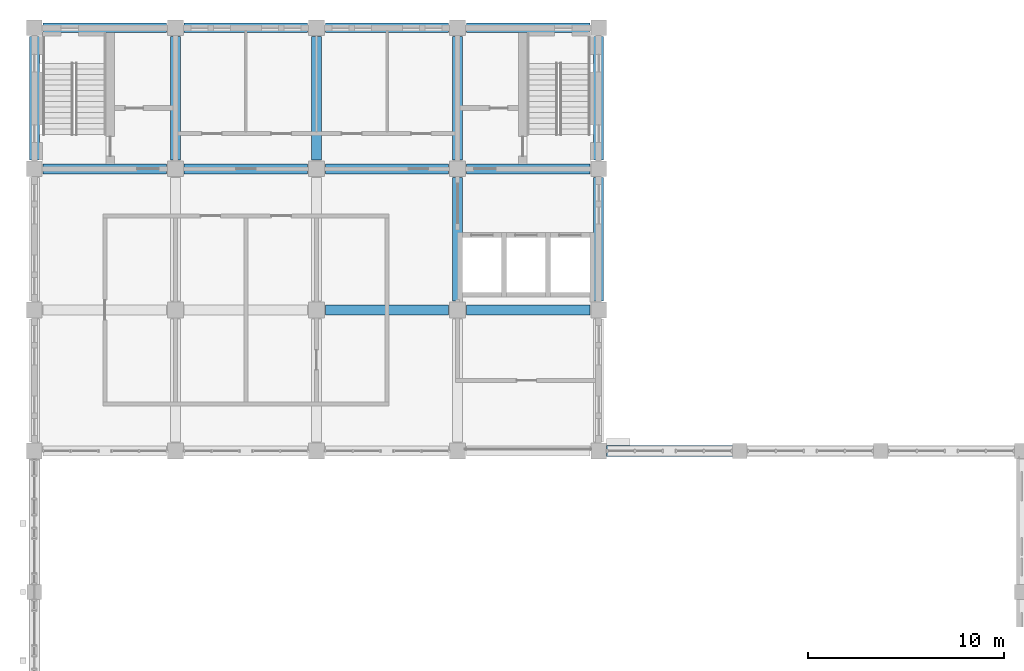
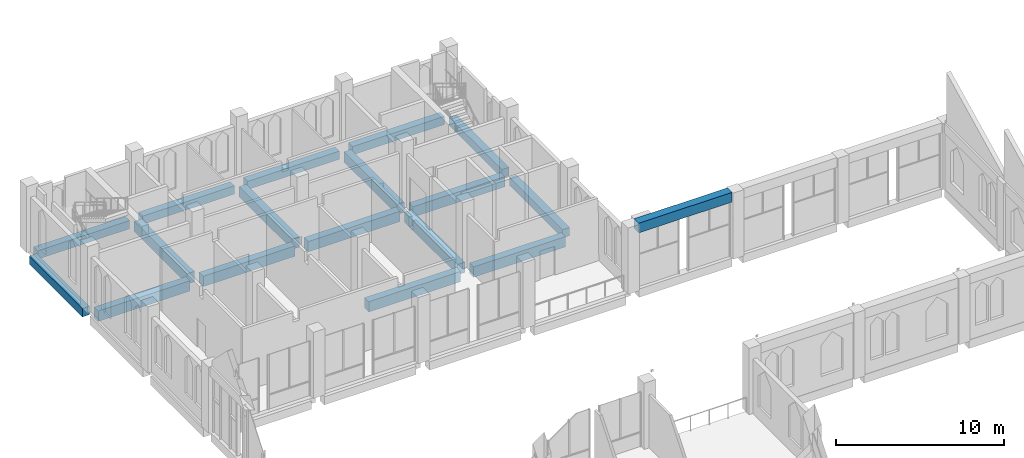
# One storey, part 12 of 31: 18 beams.
"""IFC4 building model written with IfcOpenShell, lengths in metres."""

from ifc_helpers import new_model, si_unit, direction, frame, origin, origin_2d, place, context, subcontext, project, spatial, rectangle, extrude, material, material_profile, profile_set, type_object, element, save


model = new_model("IFC4")

# Units and contexts
model_context = context("Model", 3, precision=1e-05, world=origin(), true_north=direction((0.0, 1.0)))
body_context = subcontext(model_context, "Body", "Model", "MODEL_VIEW")
ifc_project = project(units=[si_unit("LENGTHUNIT", "METRE"), si_unit("AREAUNIT", "SQUARE_METRE"), si_unit("VOLUMEUNIT", "CUBIC_METRE"), si_unit("PLANEANGLEUNIT", "RADIAN"), si_unit("MASSUNIT", "GRAM", prefix="KILO")], contexts=[model_context])

# Site, building, storey
site_placement = place(None, origin())
site = spatial("IfcSite", under=ifc_project, at=site_placement, CompositionType="ELEMENT")
building_placement = place(site_placement, origin())
building = spatial("IfcBuilding", under=site, at=building_placement, Name="Silangan Lancet Faculty of Sciences", CompositionType="ELEMENT")
storey_placement = place(building_placement, frame((0.0, 0.0, 36.0)))
storey = spatial("IfcBuildingStorey", under=building, at=storey_placement, Name="L07", CompositionType="ELEMENT", Elevation=36.0)

# Beams
ifc_material_1 = material(Name="Concrete C40/50", Category="concrete")
ifc_material_profile_1 = material_profile(ifc_material_1, rectangle(XDim=0.5, YDim=0.60009765625, at=origin_2d()), Name="RC 500x600")
ifc_profile_set_1 = profile_set([ifc_material_profile_1], Name="Concrete C40/50")
beam_type_1 = type_object("IfcBeamType", Name="BEAM RC 500x600", PredefinedType="BEAM", material=ifc_profile_set_1)
for number, where, z_axis, x_axis, name in (
    (1, (0.449951171875, 57.60009765625, -0.550048828125), (1.0, 0.0, 0.0), (0.0, 1.0, 0.0), "BM-L07-1I-2I"),
    (2, (7.64990234375, 57.60009765625, -0.550048828125), (1.0, 0.0, 0.0), (0.0, 1.0, 0.0), "BM-L07-2I-3I"),
):
    element("IfcBeam", number, at=place(storey_placement, frame(where, z_axis=z_axis, x_axis=x_axis)), inside=storey, type_object=beam_type_1, Name=name, PredefinedType="BEAM", context=body_context, shape_type="SweptSolid", body=[
        extrude(rectangle(XDim=0.5, YDim=0.60009765625, at=origin_2d()), origin(), (0.0, 0.0, 1.0), 6.300048828125),
    ])
beam_1_placement = place(storey_placement, frame((14.85009765625, 57.60009765625, -0.550048828125), z_axis=(1.0, 0.0, 0.0), x_axis=(0.0, 1.0, 0.0)))
element("IfcBeam", 3, at=beam_1_placement, inside=storey, type_object=beam_type_1, Name="BM-L07-3I-4I", PredefinedType="BEAM", context=body_context, shape_type="SweptSolid", body=[
    extrude(rectangle(XDim=0.5, YDim=0.60009765625, at=origin_2d()), origin(), (0.0, 0.0, 1.0), 6.2998046875),
])
beam_2_placement = place(storey_placement, frame((22.050048828125, 57.60009765625, -0.550048828125), z_axis=(1.0, 0.0, 0.0), x_axis=(0.0, 1.0, 0.0)))
element("IfcBeam", 4, at=beam_2_placement, inside=storey, type_object=beam_type_1, Name="BM-L07-4I-5I", PredefinedType="BEAM", context=body_context, shape_type="SweptSolid", body=[
    extrude(rectangle(XDim=0.5, YDim=0.60009765625, at=origin_2d()), origin(), (0.0, 0.0, 1.0), 6.300048828125),
])
beam_3_placement = place(storey_placement, frame((0.0, 50.85009765625, -0.550048828125), z_axis=(0.0, 1.0, 0.0), x_axis=(-1.0, 0.0, 0.0)))
element("IfcBeam", 5, at=beam_3_placement, inside=storey, type_object=beam_type_1, Name="BM-L07-1H-1I", PredefinedType="BEAM", context=body_context, shape_type="SweptSolid", body=[
    extrude(rectangle(XDim=0.5, YDim=0.60009765625, at=origin_2d()), origin(), (0.0, 0.0, 1.0), 6.2998046875),
])
beam_4_placement = place(storey_placement, frame((28.800048828125, 43.64990234375, -0.550048828125), z_axis=(0.0, 1.0, 0.0), x_axis=(-1.0, 0.0, 0.0)))
element("IfcBeam", 6, at=beam_4_placement, inside=storey, type_object=beam_type_1, Name="BM-L07-5G-5H", PredefinedType="BEAM", context=body_context, shape_type="SweptSolid", body=[
    extrude(rectangle(XDim=0.5, YDim=0.60009765625, at=origin_2d()), origin(), (0.0, 0.0, 1.0), 6.300048828125),
])
beam_5_placement = place(storey_placement, frame((28.800048828125, 50.85009765625, -0.550048828125), z_axis=(0.0, 1.0, 0.0), x_axis=(-1.0, 0.0, 0.0)))
element("IfcBeam", 7, at=beam_5_placement, inside=storey, type_object=beam_type_1, Name="BM-L07-5H-5I", PredefinedType="BEAM", context=body_context, shape_type="SweptSolid", body=[
    extrude(rectangle(XDim=0.5, YDim=0.60009765625, at=origin_2d()), origin(), (0.0, 0.0, 1.0), 6.2998046875),
])
ifc_material_2 = material(Name="Concrete C40/50", Category="concrete")
ifc_material_profile_2 = material_profile(ifc_material_2, rectangle(XDim=0.5, YDim=0.75, at=origin_2d()), Name="RC 500x750")
ifc_profile_set_2 = profile_set([ifc_material_profile_2], Name="Concrete C40/50")
beam_type_2 = type_object("IfcBeamType", Name="BEAM RC 500x750", PredefinedType="BEAM", material=ifc_profile_set_2)
beam_6_placement = place(storey_placement, frame((14.85009765625, 43.199951171875, -0.625), z_axis=(1.0, 0.0, 0.0), x_axis=(0.0, 1.0, 0.0)))
element("IfcBeam", 8, at=beam_6_placement, inside=storey, type_object=beam_type_2, Name="BM-L07-3G-4G", PredefinedType="BEAM", context=body_context, shape_type="SweptSolid", body=[
    extrude(rectangle(XDim=0.5, YDim=0.75, at=origin_2d()), origin(), (0.0, 0.0, 1.0), 6.2998046875),
])
for number, where, z_axis, x_axis, name in (
    (9, (22.050048828125, 43.199951171875, -0.625), (1.0, 0.0, 0.0), (0.0, 1.0, 0.0), "BM-L07-4G-5G"),
    (10, (0.449951171875, 50.39990234375, -0.625), (1.0, 0.0, 0.0), (0.0, 1.0, 0.0), "BM-L07-1H-2H"),
    (11, (7.64990234375, 50.39990234375, -0.625), (1.0, 0.0, 0.0), (0.0, 1.0, 0.0), "BM-L07-2H-3H"),
):
    element("IfcBeam", number, at=place(storey_placement, frame(where, z_axis=z_axis, x_axis=x_axis)), inside=storey, type_object=beam_type_2, Name=name, PredefinedType="BEAM", context=body_context, shape_type="SweptSolid", body=[
        extrude(rectangle(XDim=0.5, YDim=0.75, at=origin_2d()), origin(), (0.0, 0.0, 1.0), 6.300048828125),
    ])
beam_7_placement = place(storey_placement, frame((14.85009765625, 50.39990234375, -0.625), z_axis=(1.0, 0.0, 0.0), x_axis=(0.0, 1.0, 0.0)))
element("IfcBeam", 12, at=beam_7_placement, inside=storey, type_object=beam_type_2, Name="BM-L07-3H-4H", PredefinedType="BEAM", context=body_context, shape_type="SweptSolid", body=[
    extrude(rectangle(XDim=0.5, YDim=0.75, at=origin_2d()), origin(), (0.0, 0.0, 1.0), 6.2998046875),
])
beam_8_placement = place(storey_placement, frame((22.050048828125, 50.39990234375, -0.625), z_axis=(1.0, 0.0, 0.0), x_axis=(0.0, 1.0, 0.0)))
element("IfcBeam", 13, at=beam_8_placement, inside=storey, type_object=beam_type_2, Name="BM-L07-4H-5H", PredefinedType="BEAM", context=body_context, shape_type="SweptSolid", body=[
    extrude(rectangle(XDim=0.5, YDim=0.75, at=origin_2d()), origin(), (0.0, 0.0, 1.0), 6.300048828125),
])
for number, where, z_axis, x_axis, name in (
    (14, (7.199951171875, 50.85009765625, -0.625), (0.0, 1.0, 0.0), (-1.0, 0.0, 0.0), "BM-L07-2H-2I"),
    (15, (14.39990234375, 50.85009765625, -0.625), (0.0, 1.0, 0.0), (-1.0, 0.0, 0.0), "BM-L07-3H-3I"),
):
    element("IfcBeam", number, at=place(storey_placement, frame(where, z_axis=z_axis, x_axis=x_axis)), inside=storey, type_object=beam_type_2, Name=name, PredefinedType="BEAM", context=body_context, shape_type="SweptSolid", body=[
        extrude(rectangle(XDim=0.5, YDim=0.75, at=origin_2d()), origin(), (0.0, 0.0, 1.0), 6.2998046875),
    ])
beam_9_placement = place(storey_placement, frame((21.60009765625, 43.64990234375, -0.625), z_axis=(0.0, 1.0, 0.0), x_axis=(-1.0, 0.0, 0.0)))
element("IfcBeam", 16, at=beam_9_placement, inside=storey, type_object=beam_type_2, Name="BM-L07-4G-4H", PredefinedType="BEAM", context=body_context, shape_type="SweptSolid", body=[
    extrude(rectangle(XDim=0.5, YDim=0.75, at=origin_2d()), origin(), (0.0, 0.0, 1.0), 6.300048828125),
])
beam_10_placement = place(storey_placement, frame((21.60009765625, 50.85009765625, -0.625), z_axis=(0.0, 1.0, 0.0), x_axis=(-1.0, 0.0, 0.0)))
element("IfcBeam", 17, at=beam_10_placement, inside=storey, type_object=beam_type_2, Name="BM-L07-4H-4I", PredefinedType="BEAM", context=body_context, shape_type="SweptSolid", body=[
    extrude(rectangle(XDim=0.5, YDim=0.75, at=origin_2d()), origin(), (0.0, 0.0, 1.0), 6.2998046875),
])
ifc_material_3 = material(Name="Concrete C40/50", Category="concrete")
ifc_material_profile_3 = material_profile(ifc_material_3, rectangle(XDim=0.550048828125, YDim=0.699951171875, at=origin_2d()), Name="RC 550x700")
ifc_profile_set_3 = profile_set([ifc_material_profile_3], Name="Concrete C40/50")
beam_type_3 = type_object("IfcBeamType", Name="BEAM RC 550x700", PredefinedType="BEAM", material=ifc_profile_set_3)
beam_11_placement = place(storey_placement, frame((29.199951171875, 36.0, 4.449951171875), z_axis=(1.0, 0.0, 0.0), x_axis=(0.0, 1.0, 0.0)))
element("IfcBeam", 18, at=beam_11_placement, inside=storey, type_object=beam_type_3, Name="RB-L07-5F-6F", PredefinedType="BEAM", context=body_context, shape_type="SweptSolid", body=[
    extrude(rectangle(XDim=0.550048828125, YDim=0.699951171875, at=origin_2d()), origin(), (0.0, 0.0, 1.0), 6.425048828125),
])

save(model, "model.ifc")
